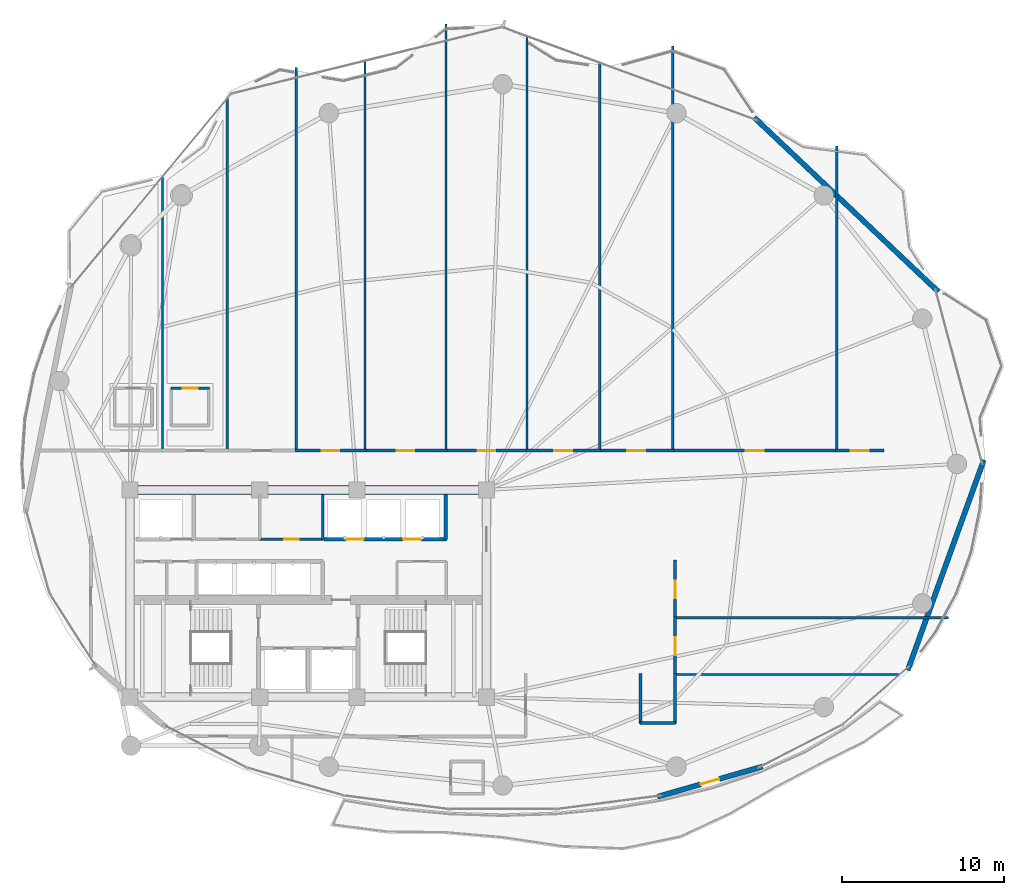
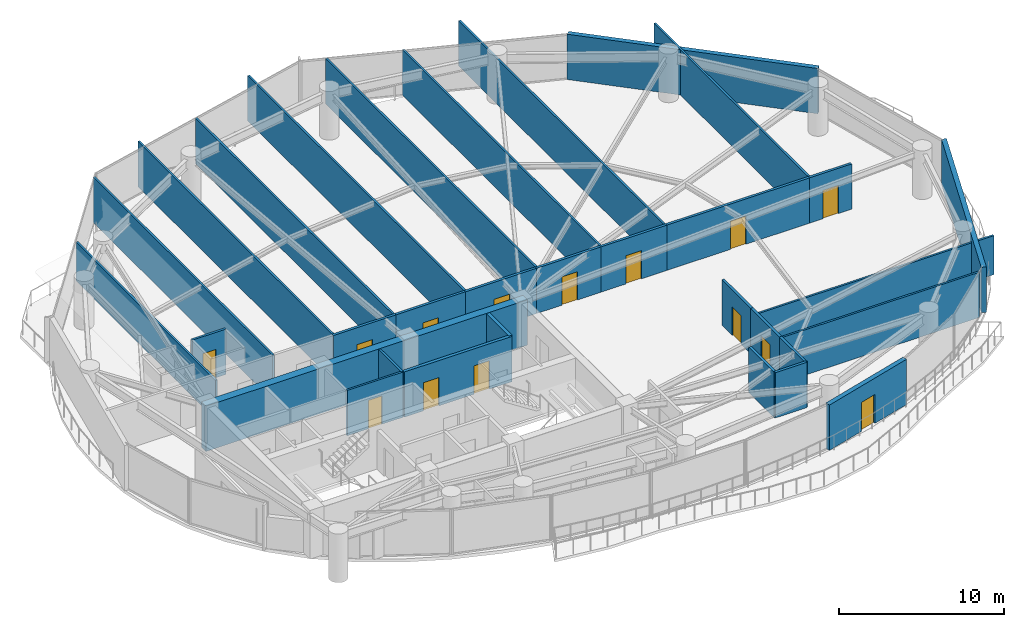
# One storey, part 24 of 28: 32 walls, 14 doors, 14 openings.
"""IFC4 building model written with IfcOpenShell, lengths in metres."""

from ifc_helpers import new_model, si_unit, direction, frame, frame_2d, origin, place, context, subcontext, project, spatial, rectangle, extrude, material, layer, layer_set, type_object, element, fill, save


model = new_model("IFC4")

# Units and contexts
model_context = context("Model", 3, precision=1e-05, world=origin(), true_north=direction((0.0, 1.0)))
body_context = subcontext(model_context, "Body", "Model", "MODEL_VIEW")
ifc_project = project(units=[si_unit("LENGTHUNIT", "METRE"), si_unit("AREAUNIT", "SQUARE_METRE"), si_unit("VOLUMEUNIT", "CUBIC_METRE"), si_unit("PLANEANGLEUNIT", "RADIAN"), si_unit("MASSUNIT", "GRAM", prefix="KILO")], contexts=[model_context])

# Site, building, storey
site_placement = place(None, origin())
site = spatial("IfcSite", under=ifc_project, at=site_placement, CompositionType="ELEMENT")
building_placement = place(site_placement, origin())
building = spatial("IfcBuilding", under=site, at=building_placement, Name="Kazevale Care Tower and Concert Hall", CompositionType="ELEMENT")
storey_placement = place(building_placement, frame((0.0, 0.0, 106.199951171875)))
storey = spatial("IfcBuildingStorey", under=building, at=storey_placement, Name="L27", CompositionType="ELEMENT", Elevation=106.199951171875)

# Wall, opening, door
ifc_material_1 = material(Name="Acoustic Gypsum on Steel Stud", Category="steel")
ifc_layer_1 = layer(ifc_material_1, 0.139892578125)
ifc_layer_set_1 = layer_set([ifc_layer_1], Name="Acoustic Gypsum on Steel Stud")
wall_type_1 = type_object("IfcWallType", Name="Acoustic Care & Suite Partition 140", PredefinedType="PARTITIONING", material=ifc_layer_set_1)
wall_1_placement = place(storey_placement, frame((30.0, 33.35009765625, 0.0), z_axis=(0.0, 0.0, 1.0), x_axis=(1.0, 0.0, 0.0)))
wall_1 = element("IfcWall", 1, at=wall_1_placement, inside=storey, type_object=wall_type_1, Name="wall:L27:c_rpl2_s", PredefinedType="PARTITIONING", context=body_context, shape_type="SweptSolid", body=[
    extrude(rectangle(XDim=3.919921875, YDim=0.139892578125, at=frame_2d((1.9599609375, 0.0))), origin(), (0.0, 0.0, 1.0), 3.360107421875),
])
opening_1_placement = place(wall_1_placement, frame((1.5, 0.0, 0.0)))
opening_1 = element("IfcOpeningElement", 2, at=opening_1_placement, cuts=wall_1, Name="Opening ID-900", PredefinedType="OPENING", context=body_context, shape_type="SweptSolid", body=[
    extrude(rectangle(XDim=0.919921875, YDim=2.10009765625, at=frame_2d((0.4599609375, 1.050048828125))), frame((0.0, 0.079833984375, 0.0), z_axis=(0.0, -1.0, 0.0), x_axis=(1.0, 0.0, 0.0)), (0.0, 0.0, 1.0), 0.159912109375),
])
ifc_material_2 = material(Name="Oak Timber Fire Leaf", Category="wood")
door_type_1 = type_object("IfcDoorType", Name="Bathroom & Service Door 920x2100", OperationType="NOTDEFINED", PredefinedType="DOOR", material=ifc_material_2)
door_1_placement = place(opening_1_placement, origin())
door_1 = element("IfcDoor", 3, at=door_1_placement, inside=storey, type_object=door_type_1, Name="door:L27:d_rpl2", OperationType="SINGLE_SWING_RIGHT", OverallHeight=2.10009765625, OverallWidth=0.919921875, PredefinedType="DOOR", context=body_context, shape_type="SweptSolid", body=[
    extrude(rectangle(XDim=0.919921875, YDim=2.10009765625, at=frame_2d((0.4599609375, 1.050048828125))), frame((0.0, 0.02490234375, 0.0), z_axis=(0.0, -1.0, 0.0), x_axis=(1.0, 0.0, 0.0)), (0.0, 0.0, 1.0), 0.050048828125),
])
fill(opening_1, door_1)

# Walls
wall_2_placement = place(storey_placement, frame((33.89990234375, 33.35009765625, 0.0), z_axis=(0.0, 0.0, 1.0), x_axis=(0.0, 1.0, 0.0)))
element("IfcWall", 4, at=wall_2_placement, inside=storey, type_object=wall_type_1, Name="wall:L27:c_rpl_e", PredefinedType="PARTITIONING", context=body_context, shape_type="SweptSolid", body=[
    extrude(rectangle(XDim=2.75, YDim=0.139892578125, at=frame_2d((1.375, 0.0))), origin(), (0.0, 0.0, 1.0), 3.360107421875),
])
wall_3_placement = place(storey_placement, frame((24.0, 55.724365234375, 0.0), z_axis=(0.0, 0.0, 1.0), x_axis=(0.0, -1.0, 0.0)))
element("IfcWall", 5, at=wall_3_placement, inside=storey, type_object=wall_type_1, Name="wall:L27:auto_020", PredefinedType="PARTITIONING", context=body_context, shape_type="SweptSolid", body=[
    extrude(rectangle(XDim=16.929443359375, YDim=0.139892578125, at=frame_2d((8.46484375, 0.0))), origin(), (0.0, 0.0, 1.0), 2.89013671875),
])
wall_4_placement = place(storey_placement, frame((28.0, 60.55224609375, 0.0), z_axis=(0.0, 0.0, 1.0), x_axis=(0.0, -1.0, 0.0)))
element("IfcWall", 6, at=wall_4_placement, inside=storey, type_object=wall_type_1, Name="wall:L27:auto_021", PredefinedType="PARTITIONING", context=body_context, shape_type="SweptSolid", body=[
    extrude(rectangle(XDim=21.75732421875, YDim=0.139892578125, at=frame_2d((10.878662109375, 0.0))), origin(), (0.0, 0.0, 1.0), 3.360107421875),
])
wall_5_placement = place(storey_placement, frame((32.25, 62.48291015625, 0.0), z_axis=(0.0, 0.0, 1.0), x_axis=(0.0, -1.0, 0.0)))
element("IfcWall", 7, at=wall_5_placement, inside=storey, type_object=wall_type_1, Name="wall:L27:auto_022", PredefinedType="PARTITIONING", context=body_context, shape_type="SweptSolid", body=[
    extrude(rectangle(XDim=23.68798828125, YDim=0.139892578125, at=frame_2d((11.843994140625, 0.0))), origin(), (0.0, 0.0, 1.0), 3.360107421875),
])
wall_6_placement = place(storey_placement, frame((36.5, 62.8759765625, 0.0), z_axis=(0.0, 0.0, 1.0), x_axis=(0.0, -1.0, 0.0)))
element("IfcWall", 8, at=wall_6_placement, inside=storey, type_object=wall_type_1, Name="wall:L27:auto_023", PredefinedType="PARTITIONING", context=body_context, shape_type="SweptSolid", body=[
    extrude(rectangle(XDim=24.0810546875, YDim=0.139892578125, at=frame_2d((12.04052734375, 0.0))), origin(), (0.0, 0.0, 1.0), 3.360107421875),
])
wall_7_placement = place(storey_placement, frame((41.5, 65.174072265625, 0.0), z_axis=(0.0, 0.0, 1.0), x_axis=(0.0, -1.0, 0.0)))
element("IfcWall", 9, at=wall_7_placement, inside=storey, type_object=wall_type_1, Name="wall:L27:auto_024", PredefinedType="PARTITIONING", context=body_context, shape_type="SweptSolid", body=[
    extrude(rectangle(XDim=26.379150390625, YDim=0.139892578125, at=frame_2d((13.189453125, 0.0))), origin(), (0.0, 0.0, 1.0), 3.360107421875),
])
wall_8_placement = place(storey_placement, frame((46.5, 64.368896484375, 0.0), z_axis=(0.0, 0.0, 1.0), x_axis=(0.0, -1.0, 0.0)))
element("IfcWall", 10, at=wall_8_placement, inside=storey, type_object=wall_type_1, Name="wall:L27:auto_025", PredefinedType="PARTITIONING", context=body_context, shape_type="SweptSolid", body=[
    extrude(rectangle(XDim=25.573974609375, YDim=0.139892578125, at=frame_2d((12.787109375, 0.0))), origin(), (0.0, 0.0, 1.0), 3.360107421875),
])
wall_9_placement = place(storey_placement, frame((51.0, 62.85693359375, 0.0), z_axis=(0.0, 0.0, 1.0), x_axis=(0.0, -1.0, 0.0)))
element("IfcWall", 11, at=wall_9_placement, inside=storey, type_object=wall_type_1, Name="wall:L27:auto_026", PredefinedType="PARTITIONING", context=body_context, shape_type="SweptSolid", body=[
    extrude(rectangle(XDim=24.06201171875, YDim=0.139892578125, at=frame_2d((12.031005859375, 0.0))), origin(), (0.0, 0.0, 1.0), 3.360107421875),
])
wall_10_placement = place(storey_placement, frame((55.5, 63.81103515625, 0.0), z_axis=(0.0, 0.0, 1.0), x_axis=(0.0, -1.0, 0.0)))
element("IfcWall", 12, at=wall_10_placement, inside=storey, type_object=wall_type_1, Name="wall:L27:auto_027", PredefinedType="PARTITIONING", context=body_context, shape_type="SweptSolid", body=[
    extrude(rectangle(XDim=25.01611328125, YDim=0.139892578125, at=frame_2d((12.508056640625, 0.0))), origin(), (0.0, 0.0, 1.0), 3.360107421875),
])
wall_11_placement = place(storey_placement, frame((65.6298828125, 57.634033203125, 0.0), z_axis=(0.0, 0.0, 1.0), x_axis=(0.0, -1.0, 0.0)))
element("IfcWall", 13, at=wall_11_placement, inside=storey, type_object=wall_type_1, Name="wall:L27:auto_028", PredefinedType="PARTITIONING", context=body_context, shape_type="SweptSolid", body=[
    extrude(rectangle(XDim=18.839111328125, YDim=0.139892578125, at=frame_2d((9.41943359375, 0.0))), origin(), (0.0, 0.0, 1.0), 3.360107421875),
])
wall_12_placement = place(storey_placement, frame((55.6201171875, 25.0, 0.0), z_axis=(0.0, 0.0, 1.0), x_axis=(1.0, 0.0, 0.0)))
element("IfcWall", 14, at=wall_12_placement, inside=storey, type_object=wall_type_1, Name="wall:L27:auto_029", PredefinedType="PARTITIONING", context=body_context, shape_type="SweptSolid", body=[
    extrude(rectangle(XDim=13.891357421875, YDim=0.139892578125, at=frame_2d((6.94580078125, 0.0))), origin(), (0.0, 0.0, 1.0), 3.360107421875),
])
wall_13_placement = place(storey_placement, frame((55.6201171875, 28.5, 0.0), z_axis=(0.0, 0.0, 1.0), x_axis=(1.0, 0.0, 0.0)))
element("IfcWall", 15, at=wall_13_placement, inside=storey, type_object=wall_type_1, Name="wall:L27:auto_030", PredefinedType="PARTITIONING", context=body_context, shape_type="SweptSolid", body=[
    extrude(rectangle(XDim=16.914794921875, YDim=0.139892578125, at=frame_2d((8.45751953125, 0.0))), origin(), (0.0, 0.0, 1.0), 2.89013671875),
])
ifc_material_3 = material(Name="Concrete C60", Category="concrete")
ifc_layer_2 = layer(ifc_material_3, 0.550048828125)
ifc_layer_set_2 = layer_set([ifc_layer_2], Name="Concrete C60")
wall_type_2 = type_object("IfcWallType", Name="Core Shear Wall 550 C60", PredefinedType="SHEAR", material=ifc_layer_set_2)
wall_14_placement = place(storey_placement, frame((21.72509765625, 36.39990234375, 0.0), z_axis=(0.0, 0.0, 1.0), x_axis=(1.0, 0.0, 0.0)))
element("IfcWall", 16, at=wall_14_placement, inside=storey, type_object=wall_type_2, Name="wall:L27:core:N", PredefinedType="SHEAR", context=body_context, shape_type="SweptSolid", body=[
    extrude(rectangle(XDim=22.5498046875, YDim=0.550048828125, at=frame_2d((11.27490234375, 0.0))), origin(), (0.0, 0.0, 1.0), 3.360107421875),
])

# Wall, openings, doors
ifc_material_4 = material(Name="Concrete C40", Category="concrete")
ifc_layer_3 = layer(ifc_material_4, 0.219970703125)
ifc_layer_set_3 = layer_set([ifc_layer_3], Name="Concrete C40")
wall_type_3 = type_object("IfcWallType", Name="Elevator Hoistway Shaft Wall 220", PredefinedType="SOLIDWALL", material=ifc_layer_set_3)
wall_15_placement = place(storey_placement, frame((33.97998046875, 33.35009765625, 0.0), z_axis=(0.0, 0.0, 1.0), x_axis=(1.0, 0.0, 0.0)))
wall_15 = element("IfcWall", 17, at=wall_15_placement, inside=storey, type_object=wall_type_3, Name="wall:L27:c_pm_s", PredefinedType="SOLIDWALL", context=body_context, shape_type="SweptSolid", body=[
    extrude(rectangle(XDim=7.5400390625, YDim=0.219970703125, at=frame_2d((3.77001953125, 0.0))), origin(), (0.0, 0.0, 1.0), 3.360107421875),
])
opening_2_placement = place(wall_15_placement, frame((1.3349609375, 0.0, 0.0)))
opening_2 = element("IfcOpeningElement", 18, at=opening_2_placement, cuts=wall_15, Name="Opening LD-PAX", PredefinedType="OPENING", context=body_context, shape_type="SweptSolid", body=[
    extrude(rectangle(XDim=1.10009765625, YDim=2.10009765625, at=frame_2d((0.550048828125, 1.050048828125))), frame((0.0, 0.119873046875, 0.0), z_axis=(0.0, -1.0, 0.0), x_axis=(1.0, 0.0, 0.0)), (0.0, 0.0, 1.0), 0.239990234375),
])
opening_3_placement = place(wall_15_placement, frame((4.87890625, 0.0, 0.0)))
opening_3 = element("IfcOpeningElement", 19, at=opening_3_placement, cuts=wall_15, Name="Opening LD-PAX", PredefinedType="OPENING", context=body_context, shape_type="SweptSolid", body=[
    extrude(rectangle(XDim=1.10009765625, YDim=2.10009765625, at=frame_2d((0.550048828125, 1.050048828125))), frame((0.0, 0.119873046875, 0.0), z_axis=(0.0, -1.0, 0.0), x_axis=(1.0, 0.0, 0.0)), (0.0, 0.0, 1.0), 0.239990234375),
])
ifc_material_5 = material(Name="Stainless Steel 316", Category="steel")
door_type_2 = type_object("IfcDoorType", Name="Passenger Lift Sliding Landing Door 1100x2100", OperationType="NOTDEFINED", PredefinedType="DOOR", material=ifc_material_5)
door_2_placement = place(opening_2_placement, origin())
door_2 = element("IfcDoor", 20, at=door_2_placement, inside=storey, type_object=door_type_2, Name="door:L27:ld_pm1", OperationType="SLIDING_TO_LEFT", OverallHeight=2.10009765625, OverallWidth=1.10009765625, PredefinedType="DOOR", context=body_context, shape_type="SweptSolid", body=[
    extrude(rectangle(XDim=1.10009765625, YDim=2.10009765625, at=frame_2d((0.550048828125, 1.050048828125))), frame((0.0, 0.02490234375, 0.0), z_axis=(0.0, -1.0, 0.0), x_axis=(1.0, 0.0, 0.0)), (0.0, 0.0, 1.0), 0.050048828125),
])
fill(opening_2, door_2)
door_3_placement = place(opening_3_placement, origin())
door_3 = element("IfcDoor", 21, at=door_3_placement, inside=storey, type_object=door_type_2, Name="door:L27:ld_pm2", OperationType="SLIDING_TO_RIGHT", OverallHeight=2.10009765625, OverallWidth=1.10009765625, PredefinedType="DOOR", context=body_context, shape_type="SweptSolid", body=[
    extrude(rectangle(XDim=1.10009765625, YDim=2.10009765625, at=frame_2d((0.550048828125, 1.050048828125))), frame((0.0, 0.02490234375, 0.0), z_axis=(0.0, -1.0, 0.0), x_axis=(1.0, 0.0, 0.0)), (0.0, 0.0, 1.0), 0.050048828125),
])
fill(opening_3, door_3)

# Wall
wall_16_placement = place(storey_placement, frame((41.5, 33.35009765625, 0.0), z_axis=(0.0, 0.0, 1.0), x_axis=(0.0, 1.0, 0.0)))
element("IfcWall", 22, at=wall_16_placement, inside=storey, type_object=wall_type_3, Name="wall:L27:c_pm_e", PredefinedType="SOLIDWALL", context=body_context, shape_type="SweptSolid", body=[
    extrude(rectangle(XDim=2.75, YDim=0.219970703125, at=frame_2d((1.375, 0.0))), origin(), (0.0, 0.0, 1.0), 3.360107421875),
])

# Wall, opening, door
ifc_material_6 = material(Name="Concrete C40 and Acoustic Gypsum", Category="concrete")
ifc_layer_4 = layer(ifc_material_6, 0.179931640625)
ifc_layer_set_4 = layer_set([ifc_layer_4], Name="Concrete C40 and Acoustic Gypsum")
wall_type_4 = type_object("IfcWallType", Name="Fire-Rated Corridor & Party Wall 180", PredefinedType="PARTITIONING", material=ifc_layer_set_4)
wall_17_placement = place(storey_placement, frame((32.18505859375, 38.824951171875, 0.0), z_axis=(0.0, 0.0, 1.0), x_axis=(1.0, 0.0, 0.0)))
wall_17 = element("IfcWall", 23, at=wall_17_placement, inside=storey, type_object=wall_type_4, Name="wall:L27:auto_004", PredefinedType="PARTITIONING", context=body_context, shape_type="SweptSolid", body=[
    extrude(rectangle(XDim=4.3798828125, YDim=0.179931640625, at=frame_2d((2.18994140625, 0.0))), origin(), (0.0, 0.0, 1.0), 3.360107421875),
])
opening_4_placement = place(wall_17_placement, frame((1.639892578125, 0.0, 0.0)))
opening_4 = element("IfcOpeningElement", 24, at=opening_4_placement, cuts=wall_17, Name="Opening ID-1100", PredefinedType="OPENING", context=body_context, shape_type="SweptSolid", body=[
    extrude(rectangle(XDim=1.10009765625, YDim=2.10009765625, at=frame_2d((0.550048828125, 1.050048828125))), frame((0.0, 0.099853515625, 0.0), z_axis=(0.0, -1.0, 0.0), x_axis=(1.0, 0.0, 0.0)), (0.0, 0.0, 1.0), 0.199951171875),
])
door_type_3 = type_object("IfcDoorType", Name="Care Bedroom Accessible Door 1100x2100", OperationType="NOTDEFINED", PredefinedType="DOOR", material=ifc_material_2)
door_4_placement = place(opening_4_placement, origin())
door_4 = element("IfcDoor", 25, at=door_4_placement, inside=storey, type_object=door_type_3, Name="door:L27:ad_004", OperationType="SINGLE_SWING_LEFT", OverallHeight=2.10009765625, OverallWidth=1.10009765625, PredefinedType="DOOR", context=body_context, shape_type="SweptSolid", body=[
    extrude(rectangle(XDim=1.10009765625, YDim=2.10009765625, at=frame_2d((0.550048828125, 1.050048828125))), frame((0.0, 0.02490234375, 0.0), z_axis=(0.0, -1.0, 0.0), x_axis=(1.0, 0.0, 0.0)), (0.0, 0.0, 1.0), 0.050048828125),
])
fill(opening_4, door_4)

wall_18_placement = place(storey_placement, frame((36.43505859375, 38.824951171875, 0.0), z_axis=(0.0, 0.0, 1.0), x_axis=(1.0, 0.0, 0.0)))
wall_18 = element("IfcWall", 26, at=wall_18_placement, inside=storey, type_object=wall_type_4, Name="wall:L27:auto_005", PredefinedType="PARTITIONING", context=body_context, shape_type="SweptSolid", body=[
    extrude(rectangle(XDim=5.1298828125, YDim=0.179931640625, at=frame_2d((2.56494140625, 0.0))), origin(), (0.0, 0.0, 1.0), 3.360107421875),
])
opening_5_placement = place(wall_18_placement, frame((2.014892578125, 0.0, 0.0)))
opening_5 = element("IfcOpeningElement", 27, at=opening_5_placement, cuts=wall_18, Name="Opening ID-1100", PredefinedType="OPENING", context=body_context, shape_type="SweptSolid", body=[
    extrude(rectangle(XDim=1.10009765625, YDim=2.10009765625, at=frame_2d((0.550048828125, 1.050048828125))), frame((0.0, 0.099853515625, 0.0), z_axis=(0.0, -1.0, 0.0), x_axis=(1.0, 0.0, 0.0)), (0.0, 0.0, 1.0), 0.199951171875),
])
door_5_placement = place(opening_5_placement, origin())
door_5 = element("IfcDoor", 28, at=door_5_placement, inside=storey, type_object=door_type_3, Name="door:L27:ad_005", OperationType="SINGLE_SWING_LEFT", OverallHeight=2.10009765625, OverallWidth=1.10009765625, PredefinedType="DOOR", context=body_context, shape_type="SweptSolid", body=[
    extrude(rectangle(XDim=1.10009765625, YDim=2.10009765625, at=frame_2d((0.550048828125, 1.050048828125))), frame((0.0, 0.02490234375, 0.0), z_axis=(0.0, -1.0, 0.0), x_axis=(1.0, 0.0, 0.0)), (0.0, 0.0, 1.0), 0.050048828125),
])
fill(opening_5, door_5)

wall_19_placement = place(storey_placement, frame((41.43505859375, 38.824951171875, 0.0), z_axis=(0.0, 0.0, 1.0), x_axis=(1.0, 0.0, 0.0)))
wall_19 = element("IfcWall", 29, at=wall_19_placement, inside=storey, type_object=wall_type_4, Name="wall:L27:auto_006", PredefinedType="PARTITIONING", context=body_context, shape_type="SweptSolid", body=[
    extrude(rectangle(XDim=5.1298828125, YDim=0.179931640625, at=frame_2d((2.56494140625, 0.0))), origin(), (0.0, 0.0, 1.0), 3.360107421875),
])
opening_6_placement = place(wall_19_placement, frame((2.014892578125, 0.0, 0.0)))
opening_6 = element("IfcOpeningElement", 30, at=opening_6_placement, cuts=wall_19, Name="Opening ID-1100", PredefinedType="OPENING", context=body_context, shape_type="SweptSolid", body=[
    extrude(rectangle(XDim=1.10009765625, YDim=2.10009765625, at=frame_2d((0.550048828125, 1.050048828125))), frame((0.0, 0.099853515625, 0.0), z_axis=(0.0, -1.0, 0.0), x_axis=(1.0, 0.0, 0.0)), (0.0, 0.0, 1.0), 0.199951171875),
])
door_6_placement = place(opening_6_placement, origin())
door_6 = element("IfcDoor", 31, at=door_6_placement, inside=storey, type_object=door_type_3, Name="door:L27:ad_006", OperationType="SINGLE_SWING_LEFT", OverallHeight=2.10009765625, OverallWidth=1.10009765625, PredefinedType="DOOR", context=body_context, shape_type="SweptSolid", body=[
    extrude(rectangle(XDim=1.10009765625, YDim=2.10009765625, at=frame_2d((0.550048828125, 1.050048828125))), frame((0.0, 0.02490234375, 0.0), z_axis=(0.0, -1.0, 0.0), x_axis=(1.0, 0.0, 0.0)), (0.0, 0.0, 1.0), 0.050048828125),
])
fill(opening_6, door_6)

wall_20_placement = place(storey_placement, frame((46.43505859375, 38.824951171875, 0.0), z_axis=(0.0, 0.0, 1.0), x_axis=(1.0, 0.0, 0.0)))
wall_20 = element("IfcWall", 32, at=wall_20_placement, inside=storey, type_object=wall_type_4, Name="wall:L27:auto_007", PredefinedType="PARTITIONING", context=body_context, shape_type="SweptSolid", body=[
    extrude(rectangle(XDim=4.6298828125, YDim=0.179931640625, at=frame_2d((2.31494140625, 0.0))), origin(), (0.0, 0.0, 1.0), 3.360107421875),
])
opening_7_placement = place(wall_20_placement, frame((1.764892578125, 0.0, 0.0)))
opening_7 = element("IfcOpeningElement", 33, at=opening_7_placement, cuts=wall_20, Name="Opening ID-1100", PredefinedType="OPENING", context=body_context, shape_type="SweptSolid", body=[
    extrude(rectangle(XDim=1.10009765625, YDim=2.10009765625, at=frame_2d((0.550048828125, 1.050048828125))), frame((0.0, 0.099853515625, 0.0), z_axis=(0.0, -1.0, 0.0), x_axis=(1.0, 0.0, 0.0)), (0.0, 0.0, 1.0), 0.199951171875),
])
door_7_placement = place(opening_7_placement, origin())
door_7 = element("IfcDoor", 34, at=door_7_placement, inside=storey, type_object=door_type_3, Name="door:L27:ad_007", OperationType="SINGLE_SWING_LEFT", OverallHeight=2.10009765625, OverallWidth=1.10009765625, PredefinedType="DOOR", context=body_context, shape_type="SweptSolid", body=[
    extrude(rectangle(XDim=1.10009765625, YDim=2.10009765625, at=frame_2d((0.550048828125, 1.050048828125))), frame((0.0, 0.02490234375, 0.0), z_axis=(0.0, -1.0, 0.0), x_axis=(1.0, 0.0, 0.0)), (0.0, 0.0, 1.0), 0.050048828125),
])
fill(opening_7, door_7)

wall_21_placement = place(storey_placement, frame((50.93505859375, 38.824951171875, 0.0), z_axis=(0.0, 0.0, 1.0), x_axis=(1.0, 0.0, 0.0)))
wall_21 = element("IfcWall", 35, at=wall_21_placement, inside=storey, type_object=wall_type_4, Name="wall:L27:auto_008", PredefinedType="PARTITIONING", context=body_context, shape_type="SweptSolid", body=[
    extrude(rectangle(XDim=4.6298828125, YDim=0.179931640625, at=frame_2d((2.31494140625, 0.0))), origin(), (0.0, 0.0, 1.0), 3.360107421875),
])
opening_8_placement = place(wall_21_placement, frame((1.764892578125, 0.0, 0.0)))
opening_8 = element("IfcOpeningElement", 36, at=opening_8_placement, cuts=wall_21, Name="Opening ID-1100", PredefinedType="OPENING", context=body_context, shape_type="SweptSolid", body=[
    extrude(rectangle(XDim=1.10009765625, YDim=2.10009765625, at=frame_2d((0.550048828125, 1.050048828125))), frame((0.0, 0.099853515625, 0.0), z_axis=(0.0, -1.0, 0.0), x_axis=(1.0, 0.0, 0.0)), (0.0, 0.0, 1.0), 0.199951171875),
])
door_8_placement = place(opening_8_placement, origin())
door_8 = element("IfcDoor", 37, at=door_8_placement, inside=storey, type_object=door_type_3, Name="door:L27:ad_008", OperationType="SINGLE_SWING_LEFT", OverallHeight=2.10009765625, OverallWidth=1.10009765625, PredefinedType="DOOR", context=body_context, shape_type="SweptSolid", body=[
    extrude(rectangle(XDim=1.10009765625, YDim=2.10009765625, at=frame_2d((0.550048828125, 1.050048828125))), frame((0.0, 0.02490234375, 0.0), z_axis=(0.0, -1.0, 0.0), x_axis=(1.0, 0.0, 0.0)), (0.0, 0.0, 1.0), 0.050048828125),
])
fill(opening_8, door_8)

wall_22_placement = place(storey_placement, frame((55.43505859375, 38.824951171875, 0.0), z_axis=(0.0, 0.0, 1.0), x_axis=(1.0, 0.0, 0.0)))
wall_22 = element("IfcWall", 38, at=wall_22_placement, inside=storey, type_object=wall_type_4, Name="wall:L27:auto_009", PredefinedType="PARTITIONING", context=body_context, shape_type="SweptSolid", body=[
    extrude(rectangle(XDim=10.260009765625, YDim=0.179931640625, at=frame_2d((5.1298828125, 0.0))), origin(), (0.0, 0.0, 1.0), 3.360107421875),
])
opening_9_placement = place(wall_22_placement, frame((4.580078125, 0.0, 0.0)))
opening_9 = element("IfcOpeningElement", 39, at=opening_9_placement, cuts=wall_22, Name="Opening ID-1100", PredefinedType="OPENING", context=body_context, shape_type="SweptSolid", body=[
    extrude(rectangle(XDim=1.10009765625, YDim=2.10009765625, at=frame_2d((0.550048828125, 1.050048828125))), frame((0.0, 0.099853515625, 0.0), z_axis=(0.0, -1.0, 0.0), x_axis=(1.0, 0.0, 0.0)), (0.0, 0.0, 1.0), 0.199951171875),
])
door_9_placement = place(opening_9_placement, origin())
door_9 = element("IfcDoor", 40, at=door_9_placement, inside=storey, type_object=door_type_3, Name="door:L27:ad_009", OperationType="SINGLE_SWING_LEFT", OverallHeight=2.10009765625, OverallWidth=1.10009765625, PredefinedType="DOOR", context=body_context, shape_type="SweptSolid", body=[
    extrude(rectangle(XDim=1.10009765625, YDim=2.10009765625, at=frame_2d((0.550048828125, 1.050048828125))), frame((0.0, 0.02490234375, 0.0), z_axis=(0.0, -1.0, 0.0), x_axis=(1.0, 0.0, 0.0)), (0.0, 0.0, 1.0), 0.050048828125),
])
fill(opening_9, door_9)

wall_23_placement = place(storey_placement, frame((65.56494140625, 38.824951171875, 0.0), z_axis=(0.0, 0.0, 1.0), x_axis=(1.0, 0.0, 0.0)))
wall_23 = element("IfcWall", 41, at=wall_23_placement, inside=storey, type_object=wall_type_4, Name="wall:L27:auto_010", PredefinedType="PARTITIONING", context=body_context, shape_type="SweptSolid", body=[
    extrude(rectangle(XDim=2.965087890625, YDim=0.179931640625, at=frame_2d((1.482421875, 0.0))), origin(), (0.0, 0.0, 1.0), 3.360107421875),
])
opening_10_placement = place(wall_23_placement, frame((0.931884765625, 0.0, 0.0)))
opening_10 = element("IfcOpeningElement", 42, at=opening_10_placement, cuts=wall_23, Name="Opening ID-1100", PredefinedType="OPENING", context=body_context, shape_type="SweptSolid", body=[
    extrude(rectangle(XDim=1.10009765625, YDim=2.10009765625, at=frame_2d((0.550048828125, 1.050048828125))), frame((0.0, 0.099853515625, 0.0), z_axis=(0.0, -1.0, 0.0), x_axis=(1.0, 0.0, 0.0)), (0.0, 0.0, 1.0), 0.199951171875),
])
door_10_placement = place(opening_10_placement, origin())
door_10 = element("IfcDoor", 43, at=door_10_placement, inside=storey, type_object=door_type_3, Name="door:L27:ad_010", OperationType="SINGLE_SWING_LEFT", OverallHeight=2.10009765625, OverallWidth=1.10009765625, PredefinedType="DOOR", context=body_context, shape_type="SweptSolid", body=[
    extrude(rectangle(XDim=1.10009765625, YDim=2.10009765625, at=frame_2d((0.550048828125, 1.050048828125))), frame((0.0, 0.02490234375, 0.0), z_axis=(0.0, -1.0, 0.0), x_axis=(1.0, 0.0, 0.0)), (0.0, 0.0, 1.0), 0.050048828125),
])
fill(opening_10, door_10)

# Walls
for number, where, z_axis, x_axis, name in (
    (44, (55.64990234375, 25.06494140625, 0.0), (0.0, 0.0, 1.0), (0.0, -1.0, 0.0), "wall:L27:auto_012"),
    (45, (53.5, 21.969970703125, 0.0), (0.0, 0.0, 1.0), (0.0, 1.0, 0.0), "wall:L27:auto_013"),
):
    element("IfcWall", number, at=place(storey_placement, frame(where, z_axis=z_axis, x_axis=x_axis)), inside=storey, type_object=wall_type_4, Name=name, PredefinedType="PARTITIONING", context=body_context, shape_type="SweptSolid", body=[
        extrude(rectangle(XDim=3.094970703125, YDim=0.179931640625, at=frame_2d((1.54736328125, 0.0))), origin(), (0.0, 0.0, 1.0), 3.360107421875),
    ])
wall_24_placement = place(storey_placement, frame((55.679931640625, 22.0, 0.0), z_axis=(0.0, 0.0, 1.0), x_axis=(-1.0, 0.0, 0.0)))
element("IfcWall", 46, at=wall_24_placement, inside=storey, type_object=wall_type_4, Name="wall:L27:auto_014", PredefinedType="PARTITIONING", context=body_context, shape_type="SweptSolid", body=[
    extrude(rectangle(XDim=2.2099609375, YDim=0.179931640625, at=frame_2d((1.10498046875, 0.0))), origin(), (0.0, 0.0, 1.0), 3.360107421875),
])

# Wall, opening, door
wall_25_placement = place(storey_placement, frame((55.64990234375, 28.56494140625, 0.0), z_axis=(0.0, 0.0, 1.0), x_axis=(0.0, -1.0, 0.0)))
wall_25 = element("IfcWall", 47, at=wall_25_placement, inside=storey, type_object=wall_type_4, Name="wall:L27:auto_015", PredefinedType="PARTITIONING", context=body_context, shape_type="SweptSolid", body=[
    extrude(rectangle(XDim=3.6298828125, YDim=0.179931640625, at=frame_2d((1.81494140625, 0.0))), origin(), (0.0, 0.0, 1.0), 3.360107421875),
])
opening_11_placement = place(wall_25_placement, frame((1.264892578125, 0.0, 0.0)))
opening_11 = element("IfcOpeningElement", 48, at=opening_11_placement, cuts=wall_25, Name="Opening ID-1100", PredefinedType="OPENING", context=body_context, shape_type="SweptSolid", body=[
    extrude(rectangle(XDim=1.10009765625, YDim=2.10009765625, at=frame_2d((0.550048828125, 1.050048828125))), frame((0.0, 0.099853515625, 0.0), z_axis=(0.0, -1.0, 0.0), x_axis=(1.0, 0.0, 0.0)), (0.0, 0.0, 1.0), 0.199951171875),
])
door_11_placement = place(opening_11_placement, origin())
door_11 = element("IfcDoor", 49, at=door_11_placement, inside=storey, type_object=door_type_3, Name="door:L27:ad_015", OperationType="SINGLE_SWING_LEFT", OverallHeight=2.10009765625, OverallWidth=1.10009765625, PredefinedType="DOOR", context=body_context, shape_type="SweptSolid", body=[
    extrude(rectangle(XDim=1.10009765625, YDim=2.10009765625, at=frame_2d((0.550048828125, 1.050048828125))), frame((0.0, 0.02490234375, 0.0), z_axis=(0.0, -1.0, 0.0), x_axis=(1.0, 0.0, 0.0)), (0.0, 0.0, 1.0), 0.050048828125),
])
fill(opening_11, door_11)

wall_26_placement = place(storey_placement, frame((55.64990234375, 32.06494140625, 0.0), z_axis=(0.0, 0.0, 1.0), x_axis=(0.0, -1.0, 0.0)))
wall_26 = element("IfcWall", 50, at=wall_26_placement, inside=storey, type_object=wall_type_4, Name="wall:L27:auto_016", PredefinedType="PARTITIONING", context=body_context, shape_type="SweptSolid", body=[
    extrude(rectangle(XDim=3.6298828125, YDim=0.179931640625, at=frame_2d((1.81494140625, 0.0))), origin(), (0.0, 0.0, 1.0), 3.360107421875),
])
opening_12_placement = place(wall_26_placement, frame((1.264892578125, 0.0, 0.0)))
opening_12 = element("IfcOpeningElement", 51, at=opening_12_placement, cuts=wall_26, Name="Opening ID-1100", PredefinedType="OPENING", context=body_context, shape_type="SweptSolid", body=[
    extrude(rectangle(XDim=1.10009765625, YDim=2.10009765625, at=frame_2d((0.550048828125, 1.050048828125))), frame((0.0, 0.099853515625, 0.0), z_axis=(0.0, -1.0, 0.0), x_axis=(1.0, 0.0, 0.0)), (0.0, 0.0, 1.0), 0.199951171875),
])
door_12_placement = place(opening_12_placement, origin())
door_12 = element("IfcDoor", 52, at=door_12_placement, inside=storey, type_object=door_type_3, Name="door:L27:ad_016", OperationType="SINGLE_SWING_LEFT", OverallHeight=2.10009765625, OverallWidth=1.10009765625, PredefinedType="DOOR", context=body_context, shape_type="SweptSolid", body=[
    extrude(rectangle(XDim=1.10009765625, YDim=2.10009765625, at=frame_2d((0.550048828125, 1.050048828125))), frame((0.0, 0.02490234375, 0.0), z_axis=(0.0, -1.0, 0.0), x_axis=(1.0, 0.0, 0.0)), (0.0, 0.0, 1.0), 0.050048828125),
])
fill(opening_12, door_12)

ifc_layer_5 = layer(ifc_material_1, 0.159912109375)
ifc_layer_set_5 = layer_set([ifc_layer_5], Name="Acoustic Gypsum on Steel Stud")
wall_type_5 = type_object("IfcWallType", Name="Moisture-Resistant Bathroom Plumbing Wall 160", PredefinedType="PLUMBINGWALL", material=ifc_layer_set_5)
wall_27_placement = place(storey_placement, frame((24.510009765625, 42.675048828125, 0.0), z_axis=(0.0, 0.0, 1.0), x_axis=(1.0, 0.0, 0.0)))
wall_27 = element("IfcWall", 53, at=wall_27_placement, inside=storey, type_object=wall_type_5, Name="wall:L27:nb2b_ens_wn", PredefinedType="PLUMBINGWALL", context=body_context, shape_type="SweptSolid", body=[
    extrude(rectangle(XDim=2.3798828125, YDim=0.159912109375, at=frame_2d((1.18994140625, 0.0))), origin(), (0.0, 0.0, 1.0), 3.360107421875),
])
opening_13_placement = place(wall_27_placement, frame((0.739990234375, 0.0, 0.0)))
opening_13 = element("IfcOpeningElement", 54, at=opening_13_placement, cuts=wall_27, Name="Opening ID-900", PredefinedType="OPENING", context=body_context, shape_type="SweptSolid", body=[
    extrude(rectangle(XDim=0.919921875, YDim=2.10009765625, at=frame_2d((0.4599609375, 1.050048828125))), frame((0.0, 0.08984375, 0.0), z_axis=(0.0, -1.0, 0.0), x_axis=(1.0, 0.0, 0.0)), (0.0, 0.0, 1.0), 0.179931640625),
])
door_13_placement = place(opening_13_placement, origin())
door_13 = element("IfcDoor", 55, at=door_13_placement, inside=storey, type_object=door_type_1, Name="door:L27:nb2b_ens_d", OperationType="SINGLE_SWING_LEFT", OverallHeight=2.10009765625, OverallWidth=0.919921875, PredefinedType="DOOR", context=body_context, shape_type="SweptSolid", body=[
    extrude(rectangle(XDim=0.919921875, YDim=2.10009765625, at=frame_2d((0.4599609375, 1.050048828125))), frame((0.0, 0.02490234375, 0.0), z_axis=(0.0, -1.0, 0.0), x_axis=(1.0, 0.0, 0.0)), (0.0, 0.0, 1.0), 0.050048828125),
])
fill(opening_13, door_13)

# Wall
ifc_material_7 = material(Name="Concrete C40 with Honed Limestone Cladding", Category="masonry")
ifc_layer_6 = layer(ifc_material_7, 0.320068359375)
ifc_layer_set_6 = layer_set([ifc_layer_6], Name="Concrete C40 with Honed Limestone Cladding")
wall_type_6 = type_object("IfcWallType", Name="Tower Honed Limestone Spandrel Wall 320", PredefinedType="STANDARD", material=ifc_layer_set_6)
wall_28_placement = place(storey_placement, frame((74.7080078125, 38.243896484375, 0.0), z_axis=(0.0, 0.0, 1.0), x_axis=(-0.340324669139, -0.94030799187, 0.0)))
element("IfcWall", 56, at=wall_28_placement, inside=storey, type_object=wall_type_6, Name="wall:cw:L27:f01", PredefinedType="STANDARD", context=body_context, shape_type="SweptSolid", body=[
    extrude(rectangle(XDim=13.810302734375, YDim=0.320068359375, at=frame_2d((6.9052734375, 0.0))), origin(), (0.0, 0.0, 1.0), 3.360107421875),
])

# Wall, opening, door
wall_29_placement = place(storey_placement, frame((61.0390625, 19.31689453125, 0.0), z_axis=(0.0, 0.0, 1.0), x_axis=(-0.96106509915, -0.276322049784, 0.0)))
wall_29 = element("IfcWall", 57, at=wall_29_placement, inside=storey, type_object=wall_type_6, Name="wall:L27:bal_host", PredefinedType="STANDARD", context=body_context, shape_type="SweptSolid", body=[
    extrude(rectangle(XDim=6.745849609375, YDim=0.320068359375, at=frame_2d((3.373046875, 0.0))), origin(), (0.0, 0.0, 1.0), 3.360107421875),
])
opening_14_placement = place(wall_29_placement, frame((2.77294921875, 0.0, 0.0)))
opening_14 = element("IfcOpeningElement", 58, at=opening_14_placement, cuts=wall_29, Name="Opening BD-1200", PredefinedType="OPENING", context=body_context, shape_type="SweptSolid", body=[
    extrude(rectangle(XDim=1.199951171875, YDim=2.14990234375, at=frame_2d((0.60009765625, 1.074951171875))), frame((0.0, 0.169921875, 0.0), z_axis=(0.0, -1.0, 0.0), x_axis=(1.0, 0.0, 0.0)), (0.0, 0.0, 1.0), 0.340087890625),
])
ifc_material_8 = material(Name="Aluminium 6063-T6 and Low-E Glass", Category="aluminium")
door_type_4 = type_object("IfcDoorType", Name="Sheltered Balcony Glazed Door 1200x2150", OperationType="NOTDEFINED", PredefinedType="DOOR", material=ifc_material_8)
door_14_placement = place(opening_14_placement, origin())
door_14 = element("IfcDoor", 59, at=door_14_placement, inside=storey, type_object=door_type_4, Name="door:L27:BD-1", OperationType="SINGLE_SWING_LEFT", OverallHeight=2.14990234375, OverallWidth=1.199951171875, PredefinedType="DOOR", context=body_context, shape_type="SweptSolid", body=[
    extrude(rectangle(XDim=1.199951171875, YDim=2.14990234375, at=frame_2d((0.60009765625, 1.074951171875))), frame((0.0, 0.02490234375, 0.0), z_axis=(0.0, -1.0, 0.0), x_axis=(1.0, 0.0, 0.0)), (0.0, 0.0, 1.0), 0.050048828125),
])
fill(opening_14, door_14)

# Wall
wall_30_placement = place(storey_placement, frame((60.5380859375, 59.383056640625, 0.0), z_axis=(0.0, 0.0, 1.0), x_axis=(0.726378346584, -0.687295058628, 0.0)))
element("IfcWall", 60, at=wall_30_placement, inside=storey, type_object=wall_type_6, Name="wall:cw:L27:f17", PredefinedType="STANDARD", context=body_context, shape_type="SweptSolid", body=[
    extrude(rectangle(XDim=15.654052734375, YDim=0.320068359375, at=frame_2d((7.8271484375, 0.0))), origin(), (0.0, 0.0, 1.0), 3.360107421875),
])

save(model, "model.ifc")
